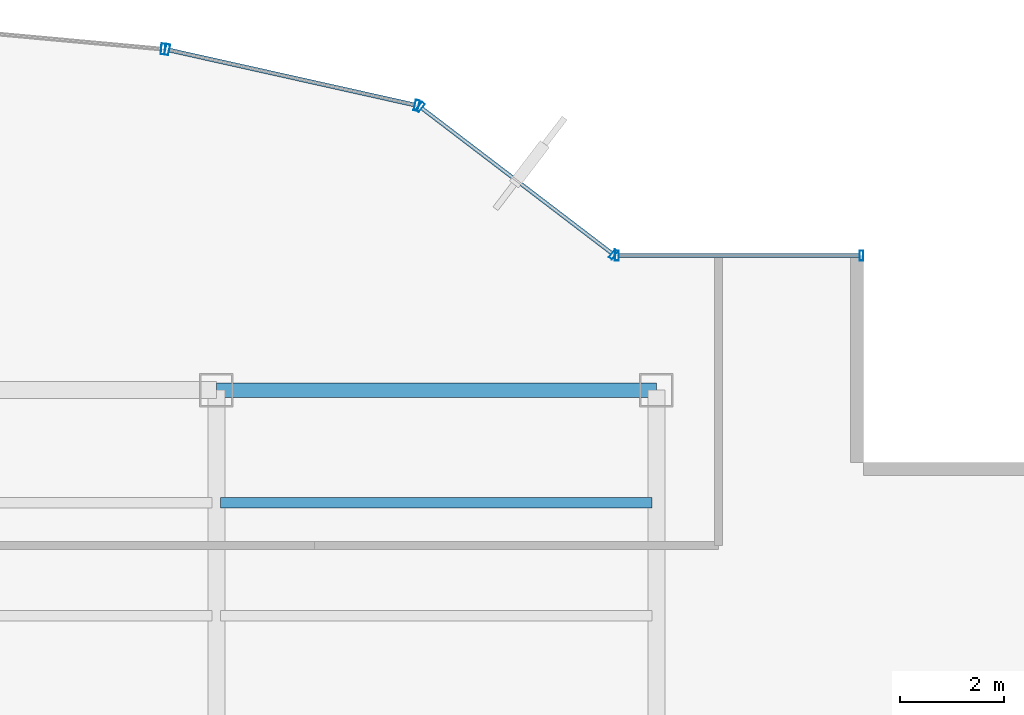
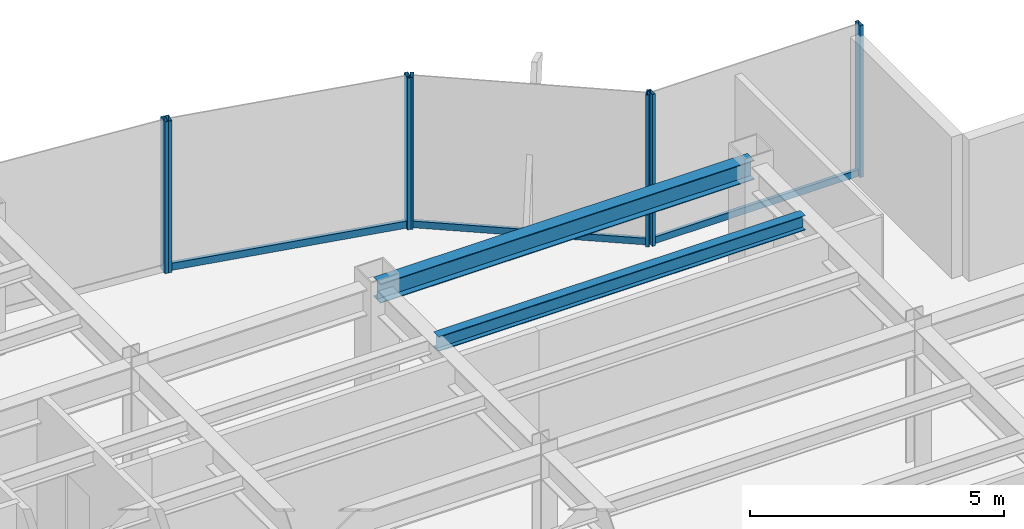
# One storey, part 17 of 25: 10 members, 2 beams, 4 elements without a shape of their own.
"""IFC4 building model written with IfcOpenShell, lengths in metres."""

from ifc_helpers import new_model, si_unit, derived_unit, direction, frame, origin, origin_2d, place, context, subcontext, project, spatial, hollow_rectangle, i_section, extrude, source, transform, mapped, material, material_profile, profile_set, type_object, element, aggregate, save


model = new_model("IFC4")

# Units and contexts
model_context = context("Model", 3, precision=1e-05, world=origin(), true_north=direction((0.0, 1.0)))
body_context = subcontext(model_context, "Body", "Model", "MODEL_VIEW")
ifc_project = project(units=[si_unit("LENGTHUNIT", "METRE"), si_unit("AREAUNIT", "SQUARE_METRE"), si_unit("VOLUMEUNIT", "CUBIC_METRE"), si_unit("PLANEANGLEUNIT", "RADIAN"), si_unit("MASSUNIT", "GRAM", prefix="KILO"), derived_unit("THERMALTRANSMITTANCEUNIT", [(si_unit("POWERUNIT", "WATT"), 1), (si_unit("LENGTHUNIT", "METRE"), -2), (si_unit("THERMODYNAMICTEMPERATUREUNIT", "KELVIN"), -1)])], contexts=[model_context])

# Site, building, storey
site_placement = place(None, origin())
site = spatial("IfcSite", under=ifc_project, at=site_placement, CompositionType="ELEMENT")
building_placement = place(site_placement, origin())
building = spatial("IfcBuilding", under=site, at=building_placement, Name="Skarnbrae Concourse Arena and Tower", CompositionType="ELEMENT")
storey_placement = place(building_placement, frame((0.0, 0.0, 162.5)))
storey = spatial("IfcBuildingStorey", under=building, at=storey_placement, Name="L41", CompositionType="ELEMENT", Elevation=162.5)

# Beams
ifc_material_1 = material(Name="Steel CSA G40.21 350W", Category="steel")
ifc_material_profile_1 = material_profile(ifc_material_1, i_section(OverallWidth=0.280029296875, OverallDepth=0.462890625, WebThickness=0.0107421875, FlangeThickness=0.017333984375, at=origin_2d()), Name="W460X113")
ifc_profile_set_1 = profile_set([ifc_material_profile_1], Name="Steel CSA G40.21 350W")
beam_type_1 = type_object("IfcBeamType", Name="BM-SPAN-W460X113", PredefinedType="SPANDREL", material=ifc_profile_set_1)
shared_shape_1 = source(origin(), body_context, "Body", "SweptSolid", [
    extrude(i_section(OverallWidth=0.280029296875, OverallDepth=0.462890625, WebThickness=0.0107421875, FlangeThickness=0.017333984375, at=origin_2d()), origin(), (0.0, 0.0, 1.0), 8.5),
])
beam_1_placement = place(storey_placement, frame((33.5, 34.39990234375, 3.16845703125), z_axis=(1.0, 0.0, 0.0), x_axis=(0.0, 1.0, 0.0)))
element("IfcBeam", 1, at=beam_1_placement, inside=storey, type_object=beam_type_1, Name="L41 Perimeter spandrel Y34.4-5", PredefinedType="SPANDREL", context=body_context, shape_type="MappedRepresentation", body=[
    mapped(shared_shape_1, transform((0.0, 0.0, 0.0))),
])
ifc_material_profile_2 = material_profile(ifc_material_1, i_section(OverallWidth=0.205078125, OverallDepth=0.35400390625, WebThickness=0.009521484375, FlangeThickness=0.016845703125, at=origin_2d()), Name="W360X79")
ifc_profile_set_2 = profile_set([ifc_material_profile_2], Name="Steel CSA G40.21 350W")
beam_type_2 = type_object("IfcBeamType", Name="BM-JOIST-W360X79", PredefinedType="JOIST", material=ifc_profile_set_2)
shared_shape_2 = source(origin(), body_context, "Body", "SweptSolid", [
    extrude(i_section(OverallWidth=0.205078125, OverallDepth=0.35400390625, WebThickness=0.009521484375, FlangeThickness=0.016845703125, at=origin_2d()), origin(), (0.0, 0.0, 1.0), 8.33984375),
])
beam_2_placement = place(storey_placement, frame((33.580078125, 32.221923828125, 3.222900390625), z_axis=(1.0, 0.0, 0.0), x_axis=(0.0, 1.0, 0.0)))
element("IfcBeam", 2, at=beam_2_placement, inside=storey, type_object=beam_type_2, Name="L41 Secondary floor joist 3.2.5", PredefinedType="JOIST", context=body_context, shape_type="MappedRepresentation", body=[
    mapped(shared_shape_2, transform((0.0, 0.0, 0.0))),
])

# Curtain wall, members
ifc_material_2 = material(Name="Bronze anodised aluminium 6063-T6", Category="aluminium")
curtain_wall_type_1 = type_object("IfcCurtainWallType", Name="CW-SYS-03-PORTAL", PredefinedType="USERDEFINED", material=ifc_material_2)
curtain_wall_1_placement = place(storey_placement, origin())
curtain_wall_1 = element("IfcCurtainWall", 3, at=curtain_wall_1_placement, inside=storey, type_object=curtain_wall_type_1, Name="L41 Unitised curtain wall CW-L41-E09", ObjectType="UNITISED CURTAIN WALL", PredefinedType="USERDEFINED")
ifc_material_profile_3 = material_profile(ifc_material_2, hollow_rectangle(XDim=0.080078125, YDim=0.2099609375, WallThickness=0.00439453125, at=origin_2d()), Name="ALU-MULL-80X210")
ifc_profile_set_3 = profile_set([ifc_material_profile_3], Name="Bronze anodised aluminium 6063-T6")
member_type_1 = type_object("IfcMemberType", Name="CWM-CW-03", PredefinedType="MULLION", material=ifc_profile_set_3)
shared_shape_3 = source(origin(), body_context, "Body", "SweptSolid", [
    extrude(hollow_rectangle(XDim=0.080078125, YDim=0.2099609375, WallThickness=0.00439453125, at=origin_2d()), origin(), (0.0, 0.0, 1.0), 3.64990234375),
])
member_1_placement = place(storey_placement, frame((37.37060546875, 39.9013671875, 0.0), z_axis=(0.0, 0.0, 1.0), x_axis=(-0.975936175393, 0.218056372433, 0.0)))
member_1 = element("IfcMember", 4, at=member_1_placement, type_object=member_type_1, Name="CW-L41-E09 Mullion 1", PredefinedType="MULLION", context=body_context, shape_type="MappedRepresentation", body=[
    mapped(shared_shape_3, transform((0.0, 0.0, 0.0))),
])
member_2_placement = place(storey_placement, frame((32.55126953125, 40.978271484375, 0.0), z_axis=(0.0, 0.0, 1.0), x_axis=(-0.975936175393, 0.218056372433, 0.0)))
member_2 = element("IfcMember", 5, at=member_2_placement, type_object=member_type_1, Name="CW-L41-E09 Mullion 2", PredefinedType="MULLION", context=body_context, shape_type="MappedRepresentation", body=[
    mapped(shared_shape_3, transform((0.0, 0.0, 0.0))),
])

# Curtain wall, member
curtain_wall_2_placement = place(storey_placement, origin())
curtain_wall_2 = element("IfcCurtainWall", 6, at=curtain_wall_2_placement, inside=storey, type_object=curtain_wall_type_1, Name="L41 Unitised curtain wall CW-L41-E10", ObjectType="UNITISED CURTAIN WALL", PredefinedType="USERDEFINED")
member_3_placement = place(storey_placement, frame((32.472412109375, 40.990478515625, 0.0), z_axis=(0.0, 0.0, 1.0), x_axis=(-0.995819926016, 0.091338244731, 0.0)))
member_3 = element("IfcMember", 7, at=member_3_placement, type_object=member_type_1, Name="CW-L41-E10 Mullion 1", PredefinedType="MULLION", context=body_context, shape_type="MappedRepresentation", body=[
    mapped(shared_shape_3, transform((0.0, 0.0, 0.0))),
])
aggregate(curtain_wall_2, [member_3])

# Curtain wall, members
curtain_wall_type_2 = type_object("IfcCurtainWallType", Name="CW-SYS-04-MIDZONE", PredefinedType="USERDEFINED", material=ifc_material_2)
curtain_wall_3_placement = place(storey_placement, origin())
curtain_wall_3 = element("IfcCurtainWall", 8, at=curtain_wall_3_placement, inside=storey, type_object=curtain_wall_type_2, Name="L41 Unitised curtain wall CW-L41-E07", ObjectType="UNITISED CURTAIN WALL", PredefinedType="USERDEFINED")
ifc_material_profile_4 = material_profile(ifc_material_2, hollow_rectangle(XDim=0.074951171875, YDim=0.195068359375, WallThickness=0.00439453125, at=origin_2d()), Name="ALU-MULL-75X195")
ifc_profile_set_4 = profile_set([ifc_material_profile_4], Name="Bronze anodised aluminium 6063-T6")
member_type_2 = type_object("IfcMemberType", Name="CWM-CW-04", PredefinedType="MULLION", material=ifc_profile_set_4)
shared_shape_4 = source(origin(), body_context, "Body", "SweptSolid", [
    extrude(hollow_rectangle(XDim=0.074951171875, YDim=0.195068359375, WallThickness=0.00439453125, at=origin_2d()), origin(), (0.0, 0.0, 1.0), 3.64990234375),
])
member_4_placement = place(storey_placement, frame((45.96240234375, 37.0, 0.0), z_axis=(0.0, 0.0, 1.0), x_axis=(-1.0, 0.0, 0.0)))
member_4 = element("IfcMember", 9, at=member_4_placement, type_object=member_type_2, Name="CW-L41-E07 Mullion 1", PredefinedType="MULLION", context=body_context, shape_type="MappedRepresentation", body=[
    mapped(shared_shape_4, transform((0.0, 0.0, 0.0))),
])
member_5_placement = place(storey_placement, frame((41.237548828125, 37.0, 0.0), z_axis=(0.0, 0.0, 1.0), x_axis=(-1.0, 0.0, 0.0)))
member_5 = element("IfcMember", 10, at=member_5_placement, type_object=member_type_2, Name="CW-L41-E07 Mullion 2", PredefinedType="MULLION", context=body_context, shape_type="MappedRepresentation", body=[
    mapped(shared_shape_4, transform((0.0, 0.0, 0.0))),
])

curtain_wall_4_placement = place(storey_placement, origin())
curtain_wall_4 = element("IfcCurtainWall", 11, at=curtain_wall_4_placement, inside=storey, type_object=curtain_wall_type_2, Name="L41 Unitised curtain wall CW-L41-E08", ObjectType="UNITISED CURTAIN WALL", PredefinedType="USERDEFINED")
member_6_placement = place(storey_placement, frame((41.170166015625, 37.022705078125, 0.0), z_axis=(0.0, 0.0, 1.0), x_axis=(-0.794956000706, 0.606667089054, 0.0)))
member_6 = element("IfcMember", 12, at=member_6_placement, type_object=member_type_2, Name="CW-L41-E08 Mullion 1", PredefinedType="MULLION", context=body_context, shape_type="MappedRepresentation", body=[
    mapped(shared_shape_4, transform((0.0, 0.0, 0.0))),
])
member_7_placement = place(storey_placement, frame((37.439208984375, 39.869873046875, 0.0), z_axis=(0.0, 0.0, 1.0), x_axis=(-0.794956000706, 0.606667089054, 0.0)))
member_7 = element("IfcMember", 13, at=member_7_placement, type_object=member_type_2, Name="CW-L41-E08 Mullion 2", PredefinedType="MULLION", context=body_context, shape_type="MappedRepresentation", body=[
    mapped(shared_shape_4, transform((0.0, 0.0, 0.0))),
])

# Member
ifc_material_profile_5 = material_profile(ifc_material_2, hollow_rectangle(XDim=0.074951171875, YDim=0.159912109375, WallThickness=0.00439453125, at=origin_2d()), Name="ALU-TRAN-75X160")
ifc_profile_set_5 = profile_set([ifc_material_profile_5], Name="Bronze anodised aluminium 6063-T6")
member_type_3 = type_object("IfcMemberType", Name="CWT-CW-04", PredefinedType="USERDEFINED", material=ifc_profile_set_5)
shared_shape_5 = source(origin(), body_context, "Body", "SweptSolid", [
    extrude(hollow_rectangle(XDim=0.074951171875, YDim=0.159912109375, WallThickness=0.00439453125, at=origin_2d()), origin(), (0.0, 0.0, 1.0), 4.650146484375),
])
member_8_placement = place(storey_placement, frame((45.925048828125, 37.0, 0.080078125), z_axis=(-1.0, 0.0, 0.0), x_axis=(0.0, -1.0, 0.0)))
member_8 = element("IfcMember", 14, at=member_8_placement, type_object=member_type_3, Name="CW-L41-E07 Transom 1", ObjectType="TRANSOM", PredefinedType="USERDEFINED", context=body_context, shape_type="MappedRepresentation", body=[
    mapped(shared_shape_5, transform((0.0, 0.0, 0.0))),
])

aggregate(curtain_wall_3, [member_4, member_5, member_8])

shared_shape_6 = source(origin(), body_context, "Body", "SweptSolid", [
    extrude(hollow_rectangle(XDim=0.074951171875, YDim=0.159912109375, WallThickness=0.00439453125, at=origin_2d()), origin(), (0.0, 0.0, 1.0), 4.618408203125),
])
member_9_placement = place(storey_placement, frame((41.140380859375, 37.04541015625, 0.080078125), z_axis=(-0.794960638756, 0.606661011462, 0.0), x_axis=(-0.606661011462, -0.794960638756, 0.0)))
member_9 = element("IfcMember", 15, at=member_9_placement, type_object=member_type_3, Name="CW-L41-E08 Transom 1", ObjectType="TRANSOM", PredefinedType="USERDEFINED", context=body_context, shape_type="MappedRepresentation", body=[
    mapped(shared_shape_6, transform((0.0, 0.0, 0.0))),
])

aggregate(curtain_wall_4, [member_6, member_7, member_9])

ifc_material_profile_6 = material_profile(ifc_material_2, hollow_rectangle(XDim=0.080078125, YDim=0.169921875, WallThickness=0.00439453125, at=origin_2d()), Name="ALU-TRAN-80X170")
ifc_profile_set_6 = profile_set([ifc_material_profile_6], Name="Bronze anodised aluminium 6063-T6")
member_type_4 = type_object("IfcMemberType", Name="CWT-CW-03", PredefinedType="USERDEFINED", material=ifc_profile_set_6)
shared_shape_7 = source(origin(), body_context, "Body", "SweptSolid", [
    extrude(hollow_rectangle(XDim=0.080078125, YDim=0.169921875, WallThickness=0.00439453125, at=origin_2d()), origin(), (0.0, 0.0, 1.0), 4.85791015625),
])
member_10_placement = place(storey_placement, frame((37.331298828125, 39.91015625, 0.0849609375), z_axis=(-0.975934527506, 0.21806374761, 0.0), x_axis=(-0.21806374761, -0.975934527506, 0.0)))
member_10 = element("IfcMember", 16, at=member_10_placement, type_object=member_type_4, Name="CW-L41-E09 Transom 1", ObjectType="TRANSOM", PredefinedType="USERDEFINED", context=body_context, shape_type="MappedRepresentation", body=[
    mapped(shared_shape_7, transform((0.0, 0.0, 0.0))),
])

aggregate(curtain_wall_1, [member_1, member_2, member_10])

save(model, "model.ifc")
